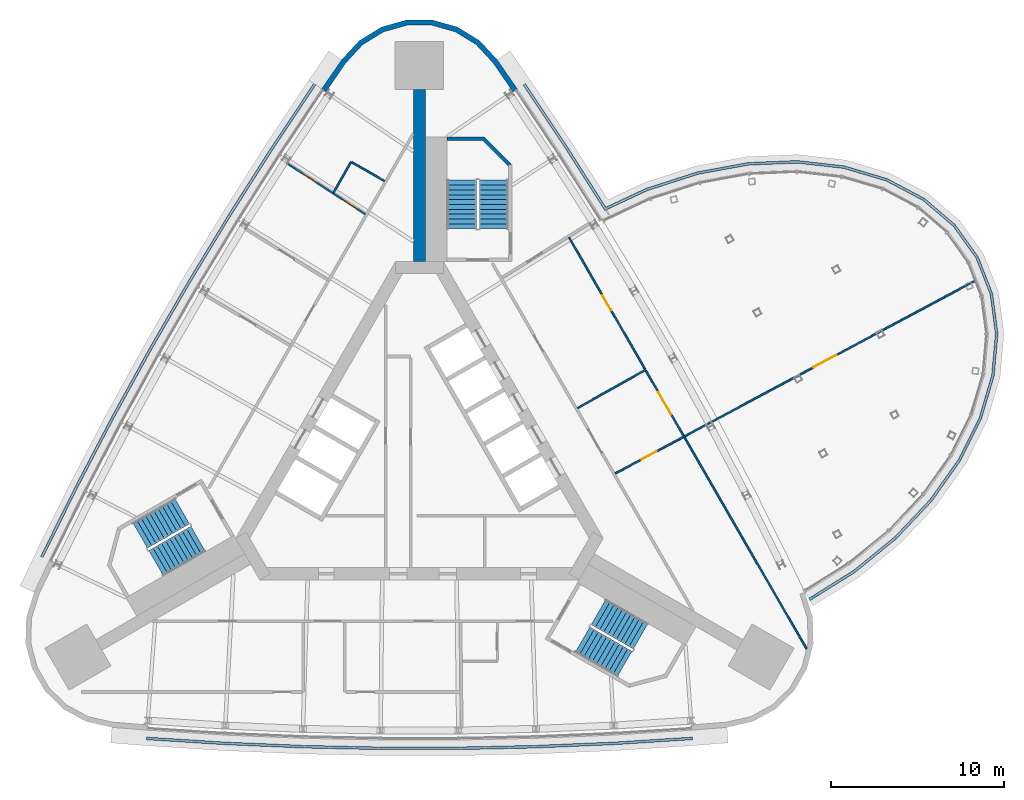
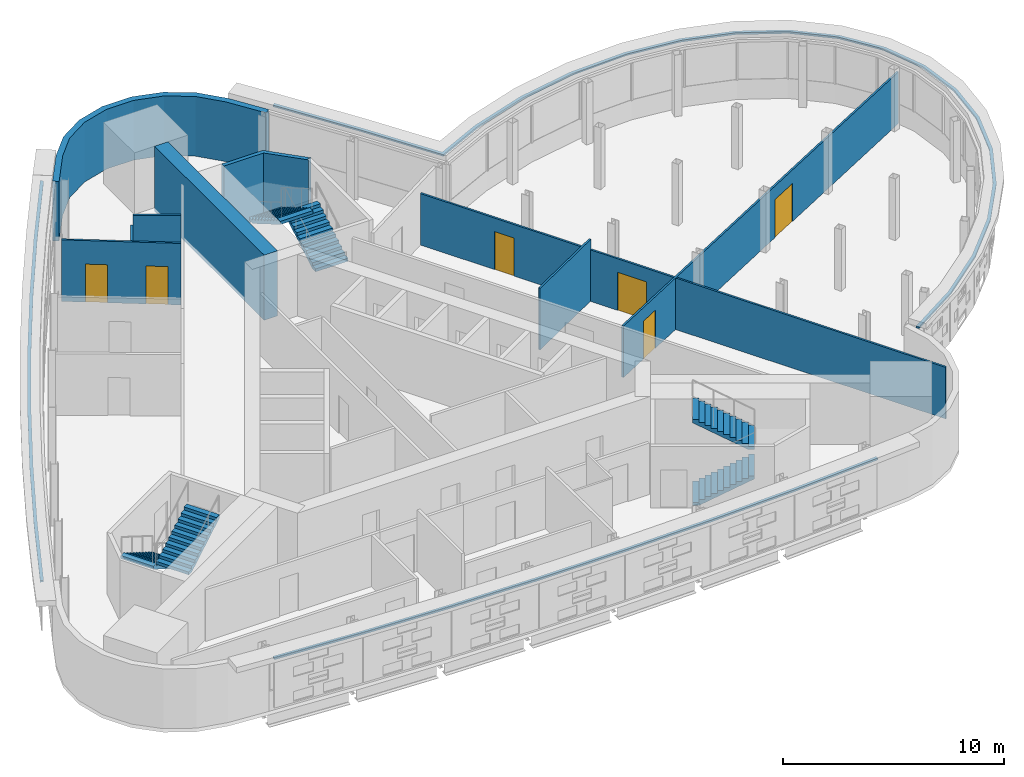
# One storey, part 12 of 15: 11 walls, 6 doors, 6 stair flights, 3 discrete accessories, 6 openings, 3 elements without a shape of their own.
"""IFC4 building model written with IfcOpenShell, lengths in metres."""

from ifc_helpers import new_model, si_unit, direction, frame, frame_2d, origin, place, context, subcontext, project, spatial, polyline, rectangle, outline, extrude, material, layer, layer_set, type_object, element, fill, aggregate, save


model = new_model("IFC4")

# Units and contexts
model_context = context("Model", 3, precision=1e-05, world=origin(), true_north=direction((0.0, 1.0)))
body_context = subcontext(model_context, "Body", "Model", "MODEL_VIEW")
ifc_project = project(units=[si_unit("LENGTHUNIT", "METRE"), si_unit("AREAUNIT", "SQUARE_METRE"), si_unit("VOLUMEUNIT", "CUBIC_METRE"), si_unit("PLANEANGLEUNIT", "RADIAN"), si_unit("MASSUNIT", "GRAM", prefix="KILO")], contexts=[model_context])

# Site, building, storey
site_placement = place(None, origin())
site = spatial("IfcSite", under=ifc_project, at=site_placement, CompositionType="ELEMENT")
building_placement = place(site_placement, origin())
building = spatial("IfcBuilding", under=site, at=building_placement, Name="Noor Cloister Tower", CompositionType="ELEMENT")
storey_placement = place(building_placement, frame((0.0, 0.0, 174.300048828125)))
storey = spatial("IfcBuildingStorey", under=building, at=storey_placement, Name="L44", CompositionType="ELEMENT", Elevation=174.300048828125)

# Walls
ifc_material_1 = material(Name="Concrete C70/85", Category="concrete")
ifc_layer_1 = layer(ifc_material_1, 0.699951171875)
ifc_layer_set_1 = layer_set([ifc_layer_1], Name="Buttress wall 700 C70/85")
wall_type_1 = type_object("IfcWallType", Name="Buttress wall 700 C70/85", PredefinedType="SHEAR", material=ifc_layer_set_1)
wall_1_placement = place(storey_placement, frame((0.0, 11.456298828125, -0.199951171875), z_axis=(0.0, 0.0, 1.0), x_axis=(0.0, 1.0, 0.0)))
element("IfcWall", 1, at=wall_1_placement, inside=storey, type_object=wall_type_1, Name="Buttress wall N L44", PredefinedType="SHEAR", context=body_context, shape_type="SweptSolid", body=[
    extrude(rectangle(XDim=9.927734375, YDim=0.699951171875, at=frame_2d((4.9638671875, 0.0))), origin(), (0.0, 0.0, 1.0), 3.599853515625),
])
ifc_material_2 = material(Name="Limestone", Category="masonry")
ifc_layer_2 = layer(ifc_material_2, 0.300048828125)
ifc_layer_set_2 = layer_set([ifc_layer_2], Name="Limestone cladding 300")
wall_type_2 = type_object("IfcWallType", Name="Limestone cladding 300", PredefinedType="NOTDEFINED", material=ifc_layer_set_2)
wall_2_placement = place(storey_placement, origin())
element("IfcWall", 2, at=wall_2_placement, inside=storey, type_object=wall_type_2, Name="Limestone pier cladding L44 3.1", PredefinedType="NOTDEFINED", context=body_context, shape_type="SweptSolid", body=[
    extrude(outline(polyline([(5.65234375, 21.43310546875), (4.496826171875, 23.113037109375), (3.47802734375, 24.2177734375), (2.197509765625, 25.00390625), (0.751220703125, 25.412353515625), (-0.751220703125, 25.412353515625), (-2.197509765625, 25.00390625), (-3.47802734375, 24.2177734375), (-4.496826171875, 23.113037109375), (-5.65234375, 21.43310546875), (-5.405029296875, 21.26318359375), (-4.26171875, 22.925537109375), (-3.28564453125, 23.98388671875), (-2.075927734375, 24.7265625), (-0.709716796875, 25.1123046875), (0.709716796875, 25.1123046875), (2.075927734375, 24.7265625), (3.28564453125, 23.98388671875), (4.26171875, 22.925537109375), (5.405029296875, 21.26318359375), (5.65234375, 21.43310546875)])), origin(), (0.0, 0.0, 1.0), 3.300048828125),
])

# Wall, openings, doors
ifc_material_3 = material(Name="Gypsum board partition on steel studs, 100 mm", Category="steel")
ifc_layer_3 = layer(ifc_material_3, 0.10009765625)
ifc_layer_set_3 = layer_set([ifc_layer_3], Name="Partition 100")
wall_type_3 = type_object("IfcWallType", Name="Partition 100", PredefinedType="PARTITIONING", material=ifc_layer_set_3)
wall_3_placement = place(storey_placement, frame((11.3115234375, -0.785888671875, 0.0), z_axis=(0.0, 0.0, 1.0), x_axis=(0.881471822947, 0.472236620087, 0.0)))
wall_3 = element("IfcWall", 3, at=wall_3_placement, inside=storey, type_object=wall_type_3, Name="Wall L44-W03", PredefinedType="PARTITIONING", context=body_context, shape_type="SweptSolid", body=[
    extrude(rectangle(XDim=23.611328125, YDim=0.10009765625, at=frame_2d((11.8056640625, 0.0))), origin(), (0.0, 0.0, 1.0), 2.846923828125),
])
opening_1_placement = place(wall_3_placement, frame((1.716064453125, 0.0, 0.0)))
opening_1 = element("IfcOpeningElement", 4, at=opening_1_placement, cuts=wall_3, Name="Opening L44-002", PredefinedType="OPENING", context=body_context, shape_type="SweptSolid", body=[
    extrude(rectangle(XDim=1.0, YDim=2.10009765625, at=frame_2d((0.5, 1.050048828125))), frame((0.0, 0.06005859375, 0.0), z_axis=(0.0, -1.0, 0.0), x_axis=(1.0, 0.0, 0.0)), (0.0, 0.0, 1.0), 0.1201171875),
])
opening_2_placement = place(wall_3_placement, frame((13.001953125, 0.0, 0.0)))
opening_2 = element("IfcOpeningElement", 5, at=opening_2_placement, cuts=wall_3, Name="Opening L44-003", PredefinedType="OPENING", context=body_context, shape_type="SweptSolid", body=[
    extrude(rectangle(XDim=1.5, YDim=2.10009765625, at=frame_2d((0.75, 1.050048828125))), frame((0.0, 0.06005859375, 0.0), z_axis=(0.0, -1.0, 0.0), x_axis=(1.0, 0.0, 0.0)), (0.0, 0.0, 1.0), 0.1201171875),
])
ifc_material_4 = material(Name="Timber door leaf with steel frame", Category="steel")
door_type_1 = type_object("IfcDoorType", Name="Double door 1500", OperationType="NOTDEFINED", PredefinedType="DOOR", material=ifc_material_4)
door_1_placement = place(opening_2_placement, origin())
door_1 = element("IfcDoor", 6, at=door_1_placement, inside=storey, type_object=door_type_1, Name="Door L44-003", OperationType="DOUBLE_DOOR_SINGLE_SWING", OverallHeight=2.10009765625, OverallWidth=1.5, PredefinedType="DOOR", context=body_context, shape_type="SweptSolid", body=[
    extrude(rectangle(XDim=1.5, YDim=2.10009765625, at=frame_2d((0.75, 1.050048828125))), frame((0.0, 0.02490234375, 0.0), z_axis=(0.0, -1.0, 0.0), x_axis=(1.0, 0.0, 0.0)), (0.0, 0.0, 1.0), 0.050048828125),
])
fill(opening_2, door_1)
ifc_material_5 = material(Name="Timber door leaf with steel frame", Category="steel")
door_type_2 = type_object("IfcDoorType", Name="Interior door 1000", OperationType="NOTDEFINED", PredefinedType="DOOR", material=ifc_material_5)
door_2_placement = place(opening_1_placement, origin())
door_2 = element("IfcDoor", 7, at=door_2_placement, inside=storey, type_object=door_type_2, Name="Door L44-002", OperationType="SINGLE_SWING_RIGHT", OverallHeight=2.10009765625, OverallWidth=1.0, PredefinedType="DOOR", context=body_context, shape_type="SweptSolid", body=[
    extrude(rectangle(XDim=1.0, YDim=2.10009765625, at=frame_2d((0.5, 1.050048828125))), frame((0.0, 0.02490234375, 0.0), z_axis=(0.0, -1.0, 0.0), x_axis=(1.0, 0.0, 0.0)), (0.0, 0.0, 1.0), 0.050048828125),
])
fill(opening_1, door_2)

# Walls
wall_4_placement = place(storey_placement, frame((9.132568359375, 2.988525390625, 0.0), z_axis=(0.0, 0.0, 1.0), x_axis=(0.871281573597, 0.490783475181, 0.0)))
element("IfcWall", 8, at=wall_4_placement, inside=storey, type_object=wall_type_3, Name="Wall L44-W04", PredefinedType="PARTITIONING", context=body_context, shape_type="SweptSolid", body=[
    extrude(rectangle(XDim=4.5048828125, YDim=0.10009765625, at=frame_2d((2.25244140625, 0.0))), origin(), (0.0, 0.0, 1.0), 3.39990234375),
])
wall_5_placement = place(storey_placement, frame((22.362548828125, -10.9169921875, 0.0), z_axis=(0.0, 0.0, 1.0), x_axis=(-0.500007103281, 0.866021302664, 0.0)))
element("IfcWall", 9, at=wall_5_placement, inside=storey, type_object=wall_type_3, Name="Wall L44-W05", PredefinedType="PARTITIONING", context=body_context, shape_type="SweptSolid", body=[
    extrude(rectangle(XDim=14.106201171875, YDim=0.10009765625, at=frame_2d((7.05322265625, 0.0))), origin(), (0.0, 0.0, 1.0), 2.846923828125),
])

# Wall, opening, door
wall_6_placement = place(storey_placement, frame((15.25927734375, 1.385986328125, 0.0), z_axis=(0.0, 0.0, 1.0), x_axis=(-0.499999150107, 0.86602589447, 0.0)))
wall_6 = element("IfcWall", 10, at=wall_6_placement, inside=storey, type_object=wall_type_3, Name="Wall L44-W06", PredefinedType="PARTITIONING", context=body_context, shape_type="SweptSolid", body=[
    extrude(rectangle(XDim=4.353515625, YDim=0.10009765625, at=frame_2d((2.1767578125, 0.0))), origin(), (0.0, 0.0, 1.0), 2.846923828125),
])
opening_3_placement = place(wall_6_placement, frame((1.4267578125, 0.0, 0.0)))
opening_3 = element("IfcOpeningElement", 11, at=opening_3_placement, cuts=wall_6, Name="Opening L44-004", PredefinedType="OPENING", context=body_context, shape_type="SweptSolid", body=[
    extrude(rectangle(XDim=1.5, YDim=2.10009765625, at=frame_2d((0.75, 1.050048828125))), frame((0.0, 0.06005859375, 0.0), z_axis=(0.0, -1.0, 0.0), x_axis=(1.0, 0.0, 0.0)), (0.0, 0.0, 1.0), 0.1201171875),
])
door_3_placement = place(opening_3_placement, origin())
door_3 = element("IfcDoor", 12, at=door_3_placement, inside=storey, type_object=door_type_1, Name="Door L44-004", OperationType="DOUBLE_DOOR_SINGLE_SWING", OverallHeight=2.10009765625, OverallWidth=1.5, PredefinedType="DOOR", context=body_context, shape_type="SweptSolid", body=[
    extrude(rectangle(XDim=1.5, YDim=2.10009765625, at=frame_2d((0.75, 1.050048828125))), frame((0.0, 0.02490234375, 0.0), z_axis=(0.0, -1.0, 0.0), x_axis=(1.0, 0.0, 0.0)), (0.0, 0.0, 1.0), 0.050048828125),
])
fill(opening_3, door_3)

wall_7_placement = place(storey_placement, frame((13.032470703125, 5.242919921875, 0.0), z_axis=(0.0, 0.0, 1.0), x_axis=(-0.499996840937, 0.866027227663, 0.0)))
wall_7 = element("IfcWall", 13, at=wall_7_placement, inside=storey, type_object=wall_type_3, Name="Wall L44-W07", PredefinedType="PARTITIONING", context=body_context, shape_type="SweptSolid", body=[
    extrude(rectangle(XDim=8.7802734375, YDim=0.10009765625, at=frame_2d((4.39013671875, 0.0))), origin(), (0.0, 0.0, 1.0), 2.846923828125),
])
opening_4_placement = place(wall_7_placement, frame((3.90283203125, 0.0, 0.0)))
opening_4 = element("IfcOpeningElement", 14, at=opening_4_placement, cuts=wall_7, Name="Opening L44-005", PredefinedType="OPENING", context=body_context, shape_type="SweptSolid", body=[
    extrude(rectangle(XDim=1.0, YDim=2.10009765625, at=frame_2d((0.5, 1.050048828125))), frame((0.0, 0.06005859375, 0.0), z_axis=(0.0, -1.0, 0.0), x_axis=(1.0, 0.0, 0.0)), (0.0, 0.0, 1.0), 0.1201171875),
])
door_4_placement = place(opening_4_placement, origin())
door_4 = element("IfcDoor", 15, at=door_4_placement, inside=storey, type_object=door_type_2, Name="Door L44-005", OperationType="SINGLE_SWING_LEFT", OverallHeight=2.10009765625, OverallWidth=1.0, PredefinedType="DOOR", context=body_context, shape_type="SweptSolid", body=[
    extrude(rectangle(XDim=1.0, YDim=2.10009765625, at=frame_2d((0.5, 1.050048828125))), frame((0.0, 0.02490234375, 0.0), z_axis=(0.0, -1.0, 0.0), x_axis=(1.0, 0.0, 0.0)), (0.0, 0.0, 1.0), 0.050048828125),
])
fill(opening_4, door_4)

# Wall, openings, doors
wall_8_placement = place(storey_placement, frame((-7.66552734375, 17.136474609375, 0.0), z_axis=(0.0, 0.0, 1.0), x_axis=(0.838353922252, -0.545126316595, 0.0)))
wall_8 = element("IfcWall", 16, at=wall_8_placement, inside=storey, type_object=wall_type_3, Name="Wall L44-W23", PredefinedType="PARTITIONING", context=body_context, shape_type="SweptSolid", body=[
    extrude(rectangle(XDim=5.4111328125, YDim=0.10009765625, at=frame_2d((2.70556640625, 0.0))), origin(), (0.0, 0.0, 1.0), 3.39990234375),
])
opening_5_placement = place(wall_8_placement, frame((1.091552734375, 0.0, 0.0)))
opening_5 = element("IfcOpeningElement", 17, at=opening_5_placement, cuts=wall_8, Name="Opening L44-016", PredefinedType="OPENING", context=body_context, shape_type="SweptSolid", body=[
    extrude(rectangle(XDim=1.0, YDim=2.10009765625, at=frame_2d((0.5, 1.050048828125))), frame((0.0, 0.06005859375, 0.0), z_axis=(0.0, -1.0, 0.0), x_axis=(1.0, 0.0, 0.0)), (0.0, 0.0, 1.0), 0.1201171875),
])
opening_6_placement = place(wall_8_placement, frame((3.834716796875, 0.0, 0.0)))
opening_6 = element("IfcOpeningElement", 18, at=opening_6_placement, cuts=wall_8, Name="Opening L44-017", PredefinedType="OPENING", context=body_context, shape_type="SweptSolid", body=[
    extrude(rectangle(XDim=1.0, YDim=2.10009765625, at=frame_2d((0.5, 1.050048828125))), frame((0.0, 0.06005859375, 0.0), z_axis=(0.0, -1.0, 0.0), x_axis=(1.0, 0.0, 0.0)), (0.0, 0.0, 1.0), 0.1201171875),
])
door_5_placement = place(opening_5_placement, origin())
door_5 = element("IfcDoor", 19, at=door_5_placement, inside=storey, type_object=door_type_2, Name="Door L44-016", OperationType="SINGLE_SWING_RIGHT", OverallHeight=2.10009765625, OverallWidth=1.0, PredefinedType="DOOR", context=body_context, shape_type="SweptSolid", body=[
    extrude(rectangle(XDim=1.0, YDim=2.10009765625, at=frame_2d((0.5, 1.050048828125))), frame((0.0, 0.02490234375, 0.0), z_axis=(0.0, -1.0, 0.0), x_axis=(1.0, 0.0, 0.0)), (0.0, 0.0, 1.0), 0.050048828125),
])
fill(opening_5, door_5)
door_6_placement = place(opening_6_placement, origin())
door_6 = element("IfcDoor", 20, at=door_6_placement, inside=storey, type_object=door_type_2, Name="Door L44-017", OperationType="SINGLE_SWING_LEFT", OverallHeight=2.10009765625, OverallWidth=1.0, PredefinedType="DOOR", context=body_context, shape_type="SweptSolid", body=[
    extrude(rectangle(XDim=1.0, YDim=2.10009765625, at=frame_2d((0.5, 1.050048828125))), frame((0.0, 0.02490234375, 0.0), z_axis=(0.0, -1.0, 0.0), x_axis=(1.0, 0.0, 0.0)), (0.0, 0.0, 1.0), 0.050048828125),
])
fill(opening_6, door_6)

# Walls
wall_9_placement = place(storey_placement, frame((-4.971923828125, 15.444580078125, 0.0), z_axis=(0.0, 0.0, 1.0), x_axis=(0.499956128963, 0.866050731258, 0.0)))
element("IfcWall", 21, at=wall_9_placement, inside=storey, type_object=wall_type_3, Name="Wall L44-W24", PredefinedType="PARTITIONING", context=body_context, shape_type="SweptSolid", body=[
    extrude(rectangle(XDim=2.050048828125, YDim=0.10009765625, at=frame_2d((1.02490234375, 0.0))), origin(), (0.0, 0.0, 1.0), 2.846923828125),
])
wall_10_placement = place(storey_placement, frame((-3.90380859375, 17.19482421875, 0.0), z_axis=(0.0, 0.0, 1.0), x_axis=(0.866065968399, -0.499929733443, 0.0)))
element("IfcWall", 22, at=wall_10_placement, inside=storey, type_object=wall_type_3, Name="Wall L44-W25", PredefinedType="PARTITIONING", context=body_context, shape_type="SweptSolid", body=[
    extrude(rectangle(XDim=2.175048828125, YDim=0.10009765625, at=frame_2d((1.08740234375, 0.0))), origin(), (0.0, 0.0, 1.0), 3.39990234375),
])
ifc_material_6 = material(Name="Concrete C70/85", Category="concrete")
wall_type_4 = type_object("IfcWallType", Name="Stair far end wall C70/85", PredefinedType="SHEAR", material=ifc_material_6)
wall_11_placement = place(storey_placement, frame((0.0, 0.0, -0.199951171875)))
element("IfcWall", 23, at=wall_11_placement, inside=storey, type_object=wall_type_4, Name="Stair enclosure wall ST1 L44 far end", PredefinedType="SHEAR", context=body_context, shape_type="SweptSolid", body=[
    extrude(outline(polyline([(5.335693359375, 17.056396484375), (3.735595703125, 18.656494140625), (1.585693359375, 18.656494140625), (1.585693359375, 18.456298828125), (3.65283203125, 18.456298828125), (5.135498046875, 16.9736328125), (5.135498046875, 17.056396484375), (5.135498046875, 17.056396484375), (5.135498046875, 17.056396484375), (5.135498046875, 17.056396484375), (5.135498046875, 17.056396484375), (5.135498046875, 17.056396484375), (5.135498046875, 17.056396484375), (5.135498046875, 17.056396484375), (5.135498046875, 17.056396484375), (5.135498046875, 17.056396484375), (5.135498046875, 17.056396484375), (5.135498046875, 17.056396484375), (5.135498046875, 17.056396484375), (5.135498046875, 17.056396484375), (5.135498046875, 17.056396484375), (5.135498046875, 17.056396484375), (5.135498046875, 17.056396484375), (5.335693359375, 17.056396484375)])), origin(), (0.0, 0.0, 1.0), 3.599853515625),
])

# Stair, stair flights
ifc_material_7 = material(Name="Concrete C40/50", Category="concrete")
stair_type = type_object("IfcStairType", Name="Exit stair 22 risers", PredefinedType="HALF_TURN_STAIR", material=ifc_material_7)
stair_1_placement = place(storey_placement, origin())
stair_1 = element("IfcStair", 24, at=stair_1_placement, inside=storey, type_object=stair_type, Name="Exit stair ST1 L44", PredefinedType="HALF_TURN_STAIR")
ifc_material_8 = material(Name="Concrete C40/50", Category="concrete")
stair_flight_type = type_object("IfcStairFlightType", Name="Exit stair flight", PredefinedType="STRAIGHT", material=ifc_material_8)
stair_flight_1_placement = place(storey_placement, frame((4.28564453125, 13.3564453125, 0.0), z_axis=(0.0, 0.0, 1.0), x_axis=(0.0, 1.0, 0.0)))
stair_flight_1 = element("IfcStairFlight", 25, at=stair_flight_1_placement, type_object=stair_flight_type, Name="ST1 flight 1", NumberOfRisers=11, NumberOfTreads=10, PredefinedType="STRAIGHT", RiserHeight=0.163636364, TreadLength=0.28, context=body_context, shape_type="SweptSolid", body=[
    extrude(outline(polyline([(0.0, 0.0), (0.0, 0.16357421875), (0.280029296875, 0.16357421875), (0.280029296875, 0.327392578125), (0.56005859375, 0.327392578125), (0.56005859375, 0.490966796875), (0.840087890625, 0.490966796875), (0.840087890625, 0.654541015625), (1.1201171875, 0.654541015625), (1.1201171875, 0.818115234375), (1.39990234375, 0.818115234375), (1.39990234375, 0.98193359375), (1.679931640625, 0.98193359375), (1.679931640625, 1.1455078125), (1.9599609375, 1.1455078125), (1.9599609375, 1.30908203125), (2.239990234375, 1.30908203125), (2.239990234375, 1.47265625), (2.52001953125, 1.47265625), (2.52001953125, 1.636474609375), (2.800048828125, 1.636474609375), (2.800048828125, 1.800048828125), (2.800048828125, 1.462646484375), (0.297119140625, 0.0), (0.0, 0.0)])), frame((0.0, 0.85009765625, 0.0), z_axis=(0.0, -1.0, 0.0), x_axis=(1.0, 0.0, 0.0)), (0.0, 0.0, 1.0), 1.699951171875),
])
stair_flight_2_placement = place(storey_placement, frame((2.435546875, 16.156494140625, 1.800048828125), z_axis=(0.0, 0.0, 1.0), x_axis=(0.0, -1.0, 0.0)))
stair_flight_2 = element("IfcStairFlight", 26, at=stair_flight_2_placement, type_object=stair_flight_type, Name="ST1 flight 2", NumberOfRisers=11, NumberOfTreads=10, PredefinedType="STRAIGHT", RiserHeight=0.163636364, TreadLength=0.28, context=body_context, shape_type="SweptSolid", body=[
    extrude(outline(polyline([(0.0, 0.0), (0.0, 0.16357421875), (0.280029296875, 0.16357421875), (0.280029296875, 0.327392578125), (0.56005859375, 0.327392578125), (0.56005859375, 0.490966796875), (0.840087890625, 0.490966796875), (0.840087890625, 0.654541015625), (1.1201171875, 0.654541015625), (1.1201171875, 0.818115234375), (1.39990234375, 0.818115234375), (1.39990234375, 0.98193359375), (1.679931640625, 0.98193359375), (1.679931640625, 1.1455078125), (1.9599609375, 1.1455078125), (1.9599609375, 1.30908203125), (2.239990234375, 1.30908203125), (2.239990234375, 1.47265625), (2.52001953125, 1.47265625), (2.52001953125, 1.636474609375), (2.800048828125, 1.636474609375), (2.800048828125, 1.800048828125), (2.800048828125, 1.462646484375), (0.297119140625, 0.0), (0.0, 0.0)])), frame((0.0, 0.85009765625, 0.0), z_axis=(0.0, -1.0, 0.0), x_axis=(1.0, 0.0, 0.0)), (0.0, 0.0, 1.0), 1.699951171875),
])
aggregate(stair_1, [stair_flight_1, stair_flight_2])

stair_2_placement = place(storey_placement, origin())
stair_2 = element("IfcStair", 27, at=stair_2_placement, inside=storey, type_object=stair_type, Name="Exit stair ST2 L44", PredefinedType="HALF_TURN_STAIR")
stair_flight_3_placement = place(storey_placement, frame((-13.709716796875, -2.966796875, 0.0), z_axis=(0.0, 0.0, 1.0), x_axis=(-0.866025403784, -0.5, 0.0)))
stair_flight_3 = element("IfcStairFlight", 28, at=stair_flight_3_placement, type_object=stair_flight_type, Name="ST2 flight 1", NumberOfRisers=11, NumberOfTreads=10, PredefinedType="STRAIGHT", RiserHeight=0.163636364, TreadLength=0.28, context=body_context, shape_type="SweptSolid", body=[
    extrude(outline(polyline([(0.0, 0.0), (0.0, 0.16357421875), (0.280029296875, 0.16357421875), (0.280029296875, 0.327392578125), (0.56005859375, 0.327392578125), (0.56005859375, 0.490966796875), (0.840087890625, 0.490966796875), (0.840087890625, 0.654541015625), (1.1201171875, 0.654541015625), (1.1201171875, 0.818115234375), (1.39990234375, 0.818115234375), (1.39990234375, 0.98193359375), (1.679931640625, 0.98193359375), (1.679931640625, 1.1455078125), (1.9599609375, 1.1455078125), (1.9599609375, 1.30908203125), (2.239990234375, 1.30908203125), (2.239990234375, 1.47265625), (2.52001953125, 1.47265625), (2.52001953125, 1.636474609375), (2.800048828125, 1.636474609375), (2.800048828125, 1.800048828125), (2.800048828125, 1.462646484375), (0.297119140625, 0.0), (0.0, 0.0)])), frame((0.0, 0.85009765625, 0.0), z_axis=(0.0, -1.0, 0.0), x_axis=(1.0, 0.0, 0.0)), (0.0, 0.0, 1.0), 1.699951171875),
])
stair_flight_4_placement = place(storey_placement, frame((-15.209716796875, -5.968994140625, 1.800048828125), z_axis=(0.0, 0.0, 1.0), x_axis=(0.866025403784, 0.5, 0.0)))
stair_flight_4 = element("IfcStairFlight", 29, at=stair_flight_4_placement, type_object=stair_flight_type, Name="ST2 flight 2", NumberOfRisers=11, NumberOfTreads=10, PredefinedType="STRAIGHT", RiserHeight=0.163636364, TreadLength=0.28, context=body_context, shape_type="SweptSolid", body=[
    extrude(outline(polyline([(0.0, 0.0), (0.0, 0.16357421875), (0.280029296875, 0.16357421875), (0.280029296875, 0.327392578125), (0.56005859375, 0.327392578125), (0.56005859375, 0.490966796875), (0.840087890625, 0.490966796875), (0.840087890625, 0.654541015625), (1.1201171875, 0.654541015625), (1.1201171875, 0.818115234375), (1.39990234375, 0.818115234375), (1.39990234375, 0.98193359375), (1.679931640625, 0.98193359375), (1.679931640625, 1.1455078125), (1.9599609375, 1.1455078125), (1.9599609375, 1.30908203125), (2.239990234375, 1.30908203125), (2.239990234375, 1.47265625), (2.52001953125, 1.47265625), (2.52001953125, 1.636474609375), (2.800048828125, 1.636474609375), (2.800048828125, 1.800048828125), (2.800048828125, 1.462646484375), (0.297119140625, 0.0), (0.0, 0.0)])), frame((0.0, 0.85009765625, 0.0), z_axis=(0.0, -1.0, 0.0), x_axis=(1.0, 0.0, 0.0)), (0.0, 0.0, 1.0), 1.699951171875),
])
aggregate(stair_2, [stair_flight_3, stair_flight_4])

stair_3_placement = place(storey_placement, origin())
stair_3 = element("IfcStair", 30, at=stair_3_placement, inside=storey, type_object=stair_type, Name="Exit stair ST3 L44", PredefinedType="HALF_TURN_STAIR")
stair_flight_5_placement = place(storey_placement, frame((9.424072265625, -10.3896484375, 0.0), z_axis=(0.0, 0.0, 1.0), x_axis=(0.866025403784, -0.5, 0.0)))
stair_flight_5 = element("IfcStairFlight", 31, at=stair_flight_5_placement, type_object=stair_flight_type, Name="ST3 flight 1", NumberOfRisers=11, NumberOfTreads=10, PredefinedType="STRAIGHT", RiserHeight=0.163636364, TreadLength=0.28, context=body_context, shape_type="SweptSolid", body=[
    extrude(outline(polyline([(0.0, 0.0), (0.0, 0.16357421875), (0.280029296875, 0.16357421875), (0.280029296875, 0.327392578125), (0.56005859375, 0.327392578125), (0.56005859375, 0.490966796875), (0.840087890625, 0.490966796875), (0.840087890625, 0.654541015625), (1.1201171875, 0.654541015625), (1.1201171875, 0.818115234375), (1.39990234375, 0.818115234375), (1.39990234375, 0.98193359375), (1.679931640625, 0.98193359375), (1.679931640625, 1.1455078125), (1.9599609375, 1.1455078125), (1.9599609375, 1.30908203125), (2.239990234375, 1.30908203125), (2.239990234375, 1.47265625), (2.52001953125, 1.47265625), (2.52001953125, 1.636474609375), (2.800048828125, 1.636474609375), (2.800048828125, 1.800048828125), (2.800048828125, 1.462646484375), (0.297119140625, 0.0), (0.0, 0.0)])), frame((0.0, 0.85009765625, 0.0), z_axis=(0.0, -1.0, 0.0), x_axis=(1.0, 0.0, 0.0)), (0.0, 0.0, 1.0), 1.699951171875),
])
stair_flight_6_placement = place(storey_placement, frame((12.77392578125, -10.1875, 1.800048828125), z_axis=(0.0, 0.0, 1.0), x_axis=(-0.866025403784, 0.5, 0.0)))
stair_flight_6 = element("IfcStairFlight", 32, at=stair_flight_6_placement, type_object=stair_flight_type, Name="ST3 flight 2", NumberOfRisers=11, NumberOfTreads=10, PredefinedType="STRAIGHT", RiserHeight=0.163636364, TreadLength=0.28, context=body_context, shape_type="SweptSolid", body=[
    extrude(outline(polyline([(0.0, 0.0), (0.0, 0.16357421875), (0.280029296875, 0.16357421875), (0.280029296875, 0.327392578125), (0.56005859375, 0.327392578125), (0.56005859375, 0.490966796875), (0.840087890625, 0.490966796875), (0.840087890625, 0.654541015625), (1.1201171875, 0.654541015625), (1.1201171875, 0.818115234375), (1.39990234375, 0.818115234375), (1.39990234375, 0.98193359375), (1.679931640625, 0.98193359375), (1.679931640625, 1.1455078125), (1.9599609375, 1.1455078125), (1.9599609375, 1.30908203125), (2.239990234375, 1.30908203125), (2.239990234375, 1.47265625), (2.52001953125, 1.47265625), (2.52001953125, 1.636474609375), (2.800048828125, 1.636474609375), (2.800048828125, 1.800048828125), (2.800048828125, 1.462646484375), (0.297119140625, 0.0), (0.0, 0.0)])), frame((0.0, 0.85009765625, 0.0), z_axis=(0.0, -1.0, 0.0), x_axis=(1.0, 0.0, 0.0)), (0.0, 0.0, 1.0), 1.699951171875),
])
aggregate(stair_3, [stair_flight_5, stair_flight_6])

# Discrete accessories
ifc_material_9 = material(Name="Stainless steel grade 316", Category="steel")
discrete_accessory_type = type_object("IfcDiscreteAccessoryType", Name="Stainless hanger rail", PredefinedType="BRACKET", material=ifc_material_9)
discrete_accessory_1_placement = place(storey_placement, frame((0.0, 0.0, 3.199951171875)))
element("IfcDiscreteAccessory", 33, at=discrete_accessory_1_placement, inside=storey, type_object=discrete_accessory_type, Name="Hanger rail L44", PredefinedType="BRACKET", context=body_context, shape_type="SweptSolid", body=[
    extrude(outline(polyline([(-6.118408203125, 21.743408203125), (-8.61474609375, 17.9921875), (-11.033935546875, 14.183837890625), (-13.3720703125, 10.3251953125), (-15.6279296875, 6.41796875), (-17.80078125, 2.4638671875), (-19.88916015625, -1.53564453125), (-21.8896484375, -5.572998046875), (-21.746337890625, -5.64404296875), (-19.746337890625, -1.608154296875), (-17.65966796875, 2.38818359375), (-15.488525390625, 6.33935546875), (-13.234375, 10.243896484375), (-10.89794921875, 14.099609375), (-8.48046875, 17.905029296875), (-5.9853515625, 21.65478515625), (-6.118408203125, 21.743408203125)])), origin(), (0.0, 0.0, 1.0), 0.10009765625),
])
discrete_accessory_2_placement = place(storey_placement, frame((0.0, 0.0, 3.199951171875)))
element("IfcDiscreteAccessory", 34, at=discrete_accessory_2_placement, inside=storey, type_object=discrete_accessory_type, Name="Hanger rail L44", PredefinedType="BRACKET", context=body_context, shape_type="SweptSolid", body=[
    extrude(outline(polyline([(-15.771240234375, -16.17041015625), (-11.2744140625, -16.45654296875), (-6.7666015625, -16.647705078125), (-2.255859375, -16.7431640625), (2.255859375, -16.7431640625), (6.7666015625, -16.647705078125), (11.2744140625, -16.45654296875), (15.771240234375, -16.17041015625), (15.760986328125, -16.0107421875), (11.265869140625, -16.296875), (6.761474609375, -16.48779296875), (2.254150390625, -16.583251953125), (-2.254150390625, -16.583251953125), (-6.761474609375, -16.48779296875), (-11.265869140625, -16.296875), (-15.760986328125, -16.0107421875), (-15.771240234375, -16.17041015625)])), origin(), (0.0, 0.0, 1.0), 0.10009765625),
])
discrete_accessory_3_placement = place(storey_placement, frame((0.0, 0.0, 3.199951171875)))
element("IfcDiscreteAccessory", 35, at=discrete_accessory_3_placement, inside=storey, type_object=discrete_accessory_type, Name="Hanger rail L44", PredefinedType="BRACKET", context=body_context, shape_type="SweptSolid", body=[
    extrude(outline(polyline([(22.561767578125, -8.136962890625), (25.1728515625, -6.50439453125), (27.55322265625, -4.566650390625), (29.603515625, -2.398193359375), (31.261962890625, -0.060302734375), (32.47705078125, 2.380126953125), (33.20849609375, 4.854248046875), (33.427001953125, 7.289306640625), (33.1181640625, 9.609619140625), (32.28515625, 11.73583984375), (30.954833984375, 13.592041015625), (29.176513671875, 15.1142578125), (27.0146484375, 16.25634765625), (24.541259765625, 16.989501953125), (21.832275390625, 17.29833984375), (18.968505859375, 17.1796875), (16.033447265625, 16.639892578125), (13.1123046875, 15.69775390625), (10.76708984375, 14.60400390625), (8.61474609375, 17.9921875), (6.118408203125, 21.743408203125), (5.9853515625, 21.65478515625), (8.48046875, 17.905029296875), (10.70751953125, 14.399658203125), (13.1708984375, 15.548583984375), (16.07275390625, 16.484619140625), (18.986572265625, 17.020263671875), (21.82666015625, 17.137939453125), (24.509033203125, 16.83203125), (26.9541015625, 16.107421875), (29.0859375, 14.98095703125), (30.8359375, 13.483154296875), (32.143310546875, 11.658935546875), (32.962158203125, 9.5693359375), (33.26611328125, 7.285888671875), (33.050537109375, 4.88427734375), (32.32763671875, 2.43896484375), (31.124267578125, 0.02197265625), (29.4794921875, -2.29638671875), (27.444091796875, -4.44921875), (25.07958984375, -6.3740234375), (22.47705078125, -8.00146484375), (22.561767578125, -8.136962890625)])), origin(), (0.0, 0.0, 1.0), 0.10009765625),
])

save(model, "model.ifc")
